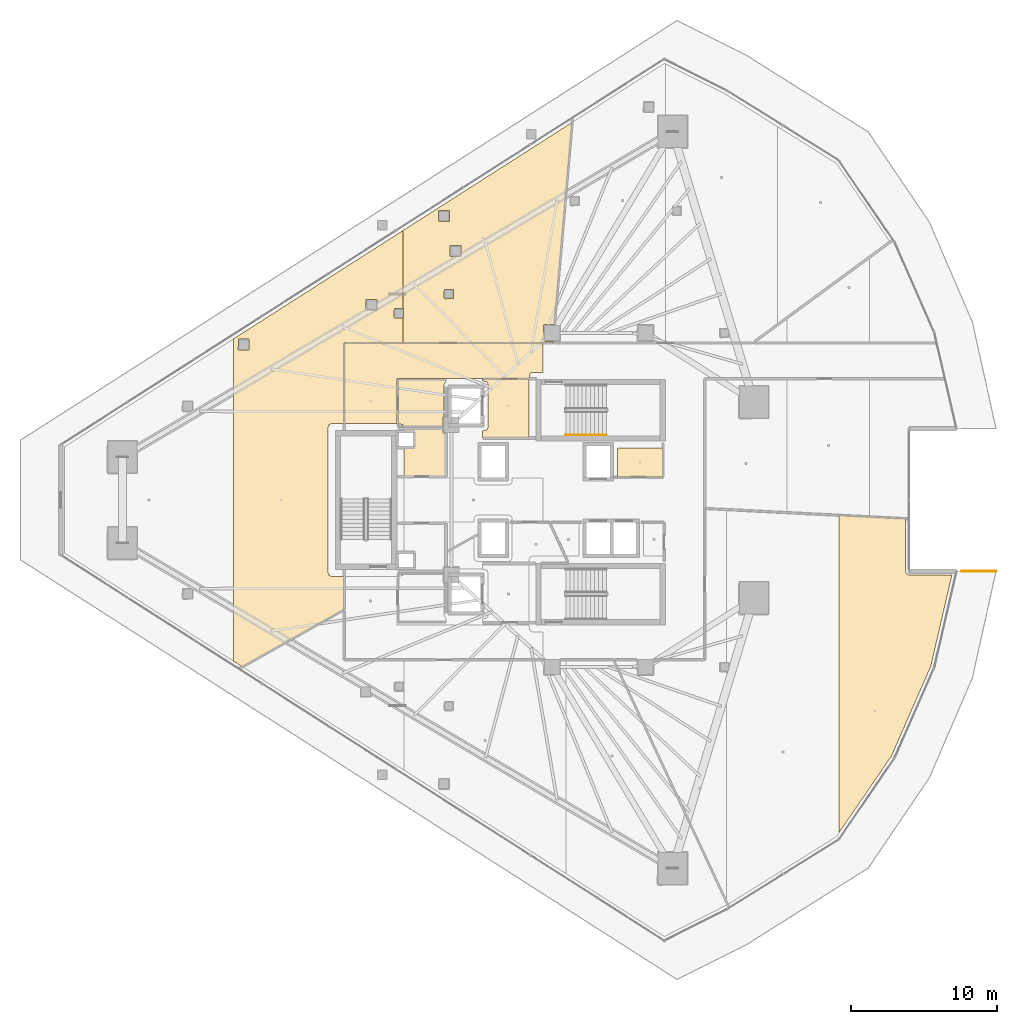
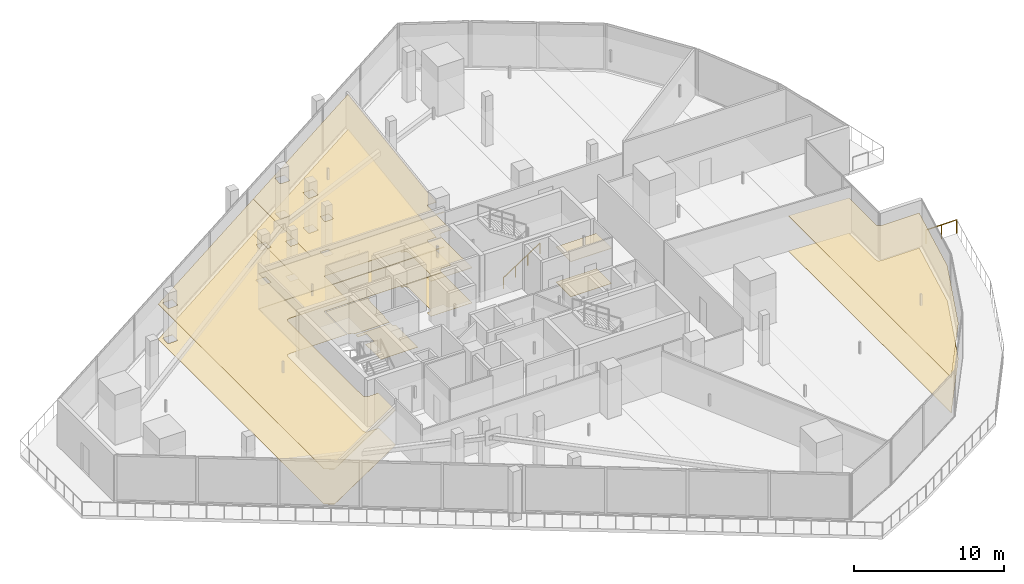
# One storey, part 38 of 40: 14 coverings, 2 railings.
"""IFC4 building model written with IfcOpenShell, lengths in metres."""

from ifc_helpers import new_model, si_unit, direction, frame, origin, origin_2d, place, context, subcontext, project, spatial, polyline, circle, outline, extrude, material, layer, layer_set, type_object, element, save


model = new_model("IFC4")

# Units and contexts
model_context = context("Model", 3, precision=1e-05, world=origin(), true_north=direction((0.0, 1.0)))
body_context = subcontext(model_context, "Body", "Model", "MODEL_VIEW")
ifc_project = project(units=[si_unit("LENGTHUNIT", "METRE"), si_unit("AREAUNIT", "SQUARE_METRE"), si_unit("VOLUMEUNIT", "CUBIC_METRE"), si_unit("PLANEANGLEUNIT", "RADIAN"), si_unit("MASSUNIT", "GRAM", prefix="KILO")], contexts=[model_context])

# Site, building, storey
site_placement = place(None, origin())
site = spatial("IfcSite", under=ifc_project, at=site_placement, CompositionType="ELEMENT")
building_placement = place(site_placement, origin())
building = spatial("IfcBuilding", under=site, at=building_placement, Name="Qorvath Tower", CompositionType="ELEMENT")
storey_placement = place(building_placement, frame((0.0, 0.0, 138.14990234375)))
storey = spatial("IfcBuildingStorey", under=building, at=storey_placement, Name="L31", CompositionType="ELEMENT", Elevation=138.14990234375)

# Coverings
ifc_material_1 = material(Name="Acoustic mineral fibre ceiling tile", Category="gypsum")
ifc_layer_1 = layer(ifc_material_1, 0.030029296875)
ifc_layer_set_1 = layer_set([ifc_layer_1], Name="COV-CEIL")
covering_type_1 = type_object("IfcCoveringType", Name="COV-CEIL", PredefinedType="CEILING", material=ifc_layer_set_1)
covering_1_placement = place(storey_placement, frame((0.0, 0.0, 2.85009765625)))
element("IfcCovering", 1, at=covering_1_placement, inside=storey, type_object=covering_type_1, Name="L31 Suspended Acoustic Ceiling 001", PredefinedType="CEILING", context=body_context, shape_type="SweptSolid", body=[
    extrude(outline(polyline([(-25.18994140625, 4.2548828125), (-25.18994140625, 8.294921875), (-28.375, 8.294921875), (-28.375, 8.159912109375), (-28.063232421875, 8.086669921875), (-27.989990234375, 7.909912109375), (-27.989990234375, 4.989990234375), (-28.063232421875, 4.813232421875), (-28.375, 4.739990234375), (-28.375, 4.2548828125), (-25.18994140625, 4.2548828125)])), origin(), (0.0, 0.0, 1.0), 0.030029296875),
])
covering_2_placement = place(storey_placement, frame((0.0, 0.0, 2.85009765625)))
element("IfcCovering", 2, at=covering_2_placement, inside=storey, type_object=covering_type_1, Name="L31 Suspended Acoustic Ceiling 003", PredefinedType="CEILING", context=body_context, shape_type="SweptSolid", body=[
    extrude(outline(polyline([(-16.0048828125, 3.56005859375), (-19.139892578125, 3.56005859375), (-19.139892578125, 1.56494140625), (-16.0048828125, 1.56494140625), (-16.0048828125, 3.56005859375)])), origin(), (0.0, 0.0, 1.0), 0.030029296875),
])
covering_3_placement = place(storey_placement, frame((0.0, 0.0, 2.85009765625)))
element("IfcCovering", 3, at=covering_3_placement, inside=storey, type_object=covering_type_1, Name="L31 Suspended Acoustic Ceiling 009", PredefinedType="CEILING", context=body_context, shape_type="SweptSolid", body=[
    extrude(outline(polyline([(-24.220458984375, 8.75), (-24.220458984375, 10.7451171875), (-37.844970703125, 10.7451171875), (-37.844970703125, 5.239990234375), (-34.2509765625, 5.239990234375), (-34.219970703125, 8.324951171875), (-25.18994140625, 8.324951171875), (-25.11669921875, 8.6767578125), (-24.93994140625, 8.75), (-24.220458984375, 8.75)])), origin(), (0.0, 0.0, 1.0), 0.030029296875),
])
covering_4_placement = place(storey_placement, frame((0.0, 0.0, 2.85009765625)))
element("IfcCovering", 4, at=covering_4_placement, inside=storey, type_object=covering_type_1, Name="L31 Suspended Acoustic Ceiling 012", PredefinedType="CEILING", context=body_context, shape_type="SweptSolid", body=[
    extrude(outline(polyline([(-45.434814453125, 11.048095703125), (-45.434814453125, -11.048095703125), (-44.83984375, -11.42822265625), (-37.863037109375, -7.506103515625), (-37.863037109375, -5.239990234375), (-38.699951171875, -5.239990234375), (-38.876708984375, -5.166748046875), (-38.949951171875, -4.989990234375), (-38.949951171875, 4.989990234375), (-38.876708984375, 5.166748046875), (-38.699951171875, 5.239990234375), (-37.863037109375, 5.239990234375), (-37.861572265625, 10.761474609375), (-33.838134765625, 10.761962890625), (-33.838134765625, 12.4736328125), (-34.379150390625, 12.45751953125), (-34.439208984375, 12.517578125), (-34.421630859375, 13.10986328125), (-33.838134765625, 13.10986328125), (-33.838134765625, 18.459716796875), (-45.434814453125, 11.048095703125)]), holes=[polyline([(-36.36572265625, 13.055908203125), (-36.34814453125, 13.748291015625), (-35.61328125, 13.748291015625), (-35.61328125, 13.013427734375), (-36.3056640625, 12.995849609375), (-36.36572265625, 13.055908203125)]), polyline([(-45.121337890625, 10.327392578125), (-45.103759765625, 11.019775390625), (-44.368896484375, 11.019775390625), (-44.368896484375, 10.284912109375), (-45.061279296875, 10.267333984375), (-45.121337890625, 10.327392578125)])]), origin(), (0.0, 0.0, 1.0), 0.030029296875),
])
covering_5_placement = place(storey_placement, frame((0.0, 0.0, 2.85009765625)))
element("IfcCovering", 5, at=covering_5_placement, inside=storey, type_object=covering_type_1, Name="L31 Suspended Acoustic Ceiling 013", PredefinedType="CEILING", context=body_context, shape_type="SweptSolid", body=[
    extrude(outline(polyline([(-33.838134765625, 18.459716796875), (-33.838134765625, 13.10986328125), (-33.786865234375, 13.10986328125), (-33.786865234375, 12.47509765625), (-33.838134765625, 12.4736328125), (-33.838134765625, 10.761962890625), (-23.5634765625, 10.762939453125), (-23.554443359375, 10.864990234375), (-24.16748046875, 10.882568359375), (-24.18505859375, 11.97509765625), (-24.125, 12.034912109375), (-23.4521484375, 12.034912109375), (-22.241455078125, 25.87158203125), (-33.838134765625, 18.459716796875)]), holes=[polyline([(-30.60986328125, 16.734619140625), (-30.59228515625, 17.427001953125), (-29.857421875, 17.427001953125), (-29.857421875, 16.692138671875), (-30.5498046875, 16.674560546875), (-30.60986328125, 16.734619140625)]), polyline([(-31.01220703125, 13.849365234375), (-30.99462890625, 14.441650390625), (-30.35986328125, 14.441650390625), (-30.35986328125, 13.806884765625), (-30.9521484375, 13.789306640625), (-31.01220703125, 13.849365234375)]), polyline([(-31.401123046875, 19.135498046875), (-31.383544921875, 19.827880859375), (-30.648681640625, 19.827880859375), (-30.648681640625, 19.093017578125), (-31.341064453125, 19.075439453125), (-31.401123046875, 19.135498046875)])]), origin(), (0.0, 0.0, 1.0), 0.030029296875),
])
covering_6_placement = place(storey_placement, frame((0.0, 0.0, 2.85009765625)))
element("IfcCovering", 6, at=covering_6_placement, inside=storey, type_object=covering_type_1, Name="L31 Suspended Acoustic Ceiling 020", PredefinedType="CEILING", context=body_context, shape_type="SweptSolid", body=[
    extrude(outline(polyline([(-3.92626953125, -1.05322265625), (-3.92626953125, -22.78125), (-0.35205078125, -17.551025390625), (2.3486328125, -11.395751953125), (3.796875, -5.13671875), (0.86328125, -5.13671875), (0.665283203125, -5.0419921875), (0.6083984375, -4.881591796875), (0.6083984375, -1.2841796875), (-3.92626953125, -1.05322265625)])), origin(), (0.0, 0.0, 1.0), 0.030029296875),
])
ifc_material_2 = material(Name="Low-VOC modular carpet tile", Category="textile")
ifc_layer_2 = layer(ifc_material_2, 0.014892578125)
ifc_layer_set_2 = layer_set([ifc_layer_2], Name="COV-FLOOR-CPT")
covering_type_2 = type_object("IfcCoveringType", Name="COV-FLOOR-CPT", PredefinedType="FLOORING", material=ifc_layer_set_2)
covering_7_placement = place(storey_placement, origin())
element("IfcCovering", 7, at=covering_7_placement, inside=storey, type_object=covering_type_2, Name="L31 Floor Finish 003", PredefinedType="FLOORING", context=body_context, shape_type="SweptSolid", body=[
    extrude(outline(polyline([(-16.0048828125, 3.56005859375), (-19.139892578125, 3.56005859375), (-19.139892578125, 1.56494140625), (-16.0048828125, 1.56494140625), (-16.0048828125, 3.56005859375)])), origin(), (0.0, 0.0, 1.0), 0.01513671875),
])
covering_8_placement = place(storey_placement, origin())
element("IfcCovering", 8, at=covering_8_placement, inside=storey, type_object=covering_type_2, Name="L31 Floor Finish 005", PredefinedType="FLOORING", context=body_context, shape_type="SweptSolid", body=[
    extrude(outline(polyline([(-31.0849609375, 4.89501953125), (-33.760009765625, 4.89501953125), (-33.760009765625, 4.633056640625), (-33.08837890625, 4.631591796875), (-33.0869140625, 3.64208984375), (-33.760009765625, 3.636962890625), (-33.760009765625, 1.60498046875), (-30.885009765625, 1.60498046875), (-30.885009765625, 4.56494140625), (-31.02490234375, 4.56494140625), (-31.0849609375, 4.625), (-31.0849609375, 4.89501953125)])), origin(), (0.0, 0.0, 1.0), 0.01513671875),
])
covering_9_placement = place(storey_placement, origin())
element("IfcCovering", 9, at=covering_9_placement, inside=storey, type_object=covering_type_2, Name="L31 Floor Finish 012", PredefinedType="FLOORING", context=body_context, shape_type="SweptSolid", body=[
    extrude(outline(polyline([(-45.434814453125, 11.048095703125), (-45.434814453125, -11.048095703125), (-44.83984375, -11.42822265625), (-37.863037109375, -7.506103515625), (-37.863037109375, -5.239990234375), (-38.699951171875, -5.239990234375), (-38.876708984375, -5.166748046875), (-38.949951171875, -4.989990234375), (-38.949951171875, 4.989990234375), (-38.876708984375, 5.166748046875), (-38.699951171875, 5.239990234375), (-37.863037109375, 5.239990234375), (-37.861572265625, 10.761474609375), (-33.838134765625, 10.761962890625), (-33.838134765625, 12.4736328125), (-34.379150390625, 12.45751953125), (-34.439208984375, 12.517578125), (-34.421630859375, 13.10986328125), (-33.838134765625, 13.10986328125), (-33.838134765625, 18.459716796875), (-45.434814453125, 11.048095703125)]), holes=[polyline([(-36.36572265625, 13.055908203125), (-36.34814453125, 13.748291015625), (-35.61328125, 13.748291015625), (-35.61328125, 13.013427734375), (-36.3056640625, 12.995849609375), (-36.36572265625, 13.055908203125)]), polyline([(-45.121337890625, 10.327392578125), (-45.103759765625, 11.019775390625), (-44.368896484375, 11.019775390625), (-44.368896484375, 10.284912109375), (-45.061279296875, 10.267333984375), (-45.121337890625, 10.327392578125)])]), origin(), (0.0, 0.0, 1.0), 0.01513671875),
])
covering_10_placement = place(storey_placement, origin())
element("IfcCovering", 10, at=covering_10_placement, inside=storey, type_object=covering_type_2, Name="L31 Floor Finish 013", PredefinedType="FLOORING", context=body_context, shape_type="SweptSolid", body=[
    extrude(outline(polyline([(-33.838134765625, 18.459716796875), (-33.838134765625, 13.10986328125), (-33.786865234375, 13.10986328125), (-33.786865234375, 12.47509765625), (-33.838134765625, 12.4736328125), (-33.838134765625, 10.761962890625), (-23.5634765625, 10.762939453125), (-23.554443359375, 10.864990234375), (-24.16748046875, 10.882568359375), (-24.18505859375, 11.97509765625), (-24.125, 12.034912109375), (-23.4521484375, 12.034912109375), (-22.241455078125, 25.87158203125), (-33.838134765625, 18.459716796875)]), holes=[polyline([(-30.60986328125, 16.734619140625), (-30.59228515625, 17.427001953125), (-29.857421875, 17.427001953125), (-29.857421875, 16.692138671875), (-30.5498046875, 16.674560546875), (-30.60986328125, 16.734619140625)]), polyline([(-31.01220703125, 13.849365234375), (-30.99462890625, 14.441650390625), (-30.35986328125, 14.441650390625), (-30.35986328125, 13.806884765625), (-30.9521484375, 13.789306640625), (-31.01220703125, 13.849365234375)]), polyline([(-31.401123046875, 19.135498046875), (-31.383544921875, 19.827880859375), (-30.648681640625, 19.827880859375), (-30.648681640625, 19.093017578125), (-31.341064453125, 19.075439453125), (-31.401123046875, 19.135498046875)])]), origin(), (0.0, 0.0, 1.0), 0.01513671875),
])
covering_11_placement = place(storey_placement, origin())
element("IfcCovering", 11, at=covering_11_placement, inside=storey, type_object=covering_type_2, Name="L31 Floor Finish 020", PredefinedType="FLOORING", context=body_context, shape_type="SweptSolid", body=[
    extrude(outline(polyline([(-3.92626953125, -1.05322265625), (-3.92626953125, -22.78125), (-0.35205078125, -17.551025390625), (2.3486328125, -11.395751953125), (3.796875, -5.13671875), (0.86328125, -5.13671875), (0.665283203125, -5.0419921875), (0.6083984375, -4.881591796875), (0.6083984375, -1.2841796875), (-3.92626953125, -1.05322265625)])), origin(), (0.0, 0.0, 1.0), 0.01513671875),
])
ifc_material_3 = material(Name="Polished epoxy terrazzo flooring", Category="concrete")
ifc_layer_3 = layer(ifc_material_3, 0.02001953125)
ifc_layer_set_3 = layer_set([ifc_layer_3], Name="COV-FLOOR-TRZ")
covering_type_3 = type_object("IfcCoveringType", Name="COV-FLOOR-TRZ", PredefinedType="FLOORING", material=ifc_layer_set_3)
covering_12_placement = place(storey_placement, origin())
element("IfcCovering", 12, at=covering_12_placement, inside=storey, type_object=covering_type_3, Name="L31 Floor Finish 001", PredefinedType="FLOORING", context=body_context, shape_type="SweptSolid", body=[
    extrude(outline(polyline([(-25.18994140625, 4.2548828125), (-25.18994140625, 8.294921875), (-28.375, 8.294921875), (-28.375, 8.159912109375), (-28.063232421875, 8.086669921875), (-27.989990234375, 7.909912109375), (-27.989990234375, 4.989990234375), (-28.063232421875, 4.813232421875), (-28.375, 4.739990234375), (-28.375, 4.2548828125), (-25.18994140625, 4.2548828125)])), origin(), (0.0, 0.0, 1.0), 0.01513671875),
])
covering_13_placement = place(storey_placement, origin())
element("IfcCovering", 13, at=covering_13_placement, inside=storey, type_object=covering_type_3, Name="L31 Floor Finish 004", PredefinedType="FLOORING", context=body_context, shape_type="SweptSolid", body=[
    extrude(outline(polyline([(-31.010009765625, 7.909912109375), (-30.885009765625, 8.108154296875), (-30.885009765625, 8.2451171875), (-34.175048828125, 8.2451171875), (-34.175048828125, 5.239990234375), (-33.833251953125, 5.166748046875), (-33.786865234375, 5.054931640625), (-31.0849609375, 5.054931640625), (-31.0849609375, 5.675048828125), (-31.02490234375, 5.735107421875), (-31.010009765625, 7.909912109375)])), origin(), (0.0, 0.0, 1.0), 0.01513671875),
])
covering_14_placement = place(storey_placement, origin())
element("IfcCovering", 14, at=covering_14_placement, inside=storey, type_object=covering_type_3, Name="L31 Floor Finish 009", PredefinedType="FLOORING", context=body_context, shape_type="SweptSolid", body=[
    extrude(outline(polyline([(-24.220458984375, 8.75), (-24.220458984375, 10.7451171875), (-37.844970703125, 10.7451171875), (-37.844970703125, 5.239990234375), (-34.2509765625, 5.239990234375), (-34.219970703125, 8.324951171875), (-25.18994140625, 8.324951171875), (-25.11669921875, 8.6767578125), (-24.93994140625, 8.75), (-24.220458984375, 8.75)])), origin(), (0.0, 0.0, 1.0), 0.01513671875),
])

# Railings
ifc_material_4 = material(Name="Laminated safety glass and stainless steel AISI 316", Category="steel")
railing_type_1 = type_object("IfcRailingType", Name="RL-EXT-GRD", PredefinedType="GUARDRAIL", material=ifc_material_4)
railing_1_placement = place(storey_placement, frame((4.46728515625, -4.881591796875, 0.0)))
element("IfcRailing", 15, at=railing_1_placement, inside=storey, type_object=railing_type_1, Name="Loggia Perimeter Guardrail L31-1.2", PredefinedType="GUARDRAIL", context=body_context, shape_type="SweptSolid", body=[
    extrude(circle(Radius=0.02392578125, at=origin_2d()), frame((0.0, 0.0, 1.09619140625), z_axis=(1.0, 0.0, 0.0), x_axis=(0.0, 1.0, 0.0)), (0.0, 0.0, 1.0), 2.36669921875),
    extrude(circle(Radius=0.02099609375, at=origin_2d()), origin(), (0.0, 0.0, 1.0), 1.072021484375),
    extrude(circle(Radius=0.02099609375, at=origin_2d()), frame((1.183349609375, 0.0, 0.0)), (0.0, 0.0, 1.0), 1.072021484375),
    extrude(circle(Radius=0.02099609375, at=origin_2d()), frame((2.36669921875, 0.0, 0.0)), (0.0, 0.0, 1.0), 1.072021484375),
])
ifc_material_5 = material(Name="Brushed stainless steel AISI 304", Category="steel")
railing_type_2 = type_object("IfcRailingType", Name="RL-STR-HND", PredefinedType="HANDRAIL", material=ifc_material_5)
railing_2_placement = place(storey_placement, frame((-22.669921875, 4.449951171875, 0.18408203125)))
element("IfcRailing", 16, at=railing_2_placement, inside=storey, type_object=railing_type_2, Name="L31 TS1 stair handrail 1", PredefinedType="HANDRAIL", context=body_context, shape_type="SweptSolid", body=[
    extrude(circle(Radius=0.02392578125, at=origin_2d()), frame((0.0, 0.0, 0.8759765625), z_axis=(0.835542071712, 0.0, 0.549426470421), x_axis=(0.0, 1.0, 0.0)), (0.0, 0.0, 1.0), 3.350830078125),
    extrude(circle(Radius=0.02099609375, at=origin_2d()), origin(), (0.0, 0.0, 1.0), 0.851806640625),
    extrude(circle(Radius=0.02099609375, at=origin_2d()), frame((0.933349609375, 0.0, 0.61376953125)), (0.0, 0.0, 1.0), 0.851806640625),
    extrude(circle(Radius=0.02099609375, at=origin_2d()), frame((1.866455078125, 0.0, 1.227294921875)), (0.0, 0.0, 1.0), 0.851806640625),
    extrude(circle(Radius=0.02099609375, at=origin_2d()), frame((2.7998046875, 0.0, 1.841064453125)), (0.0, 0.0, 1.0), 0.851806640625),
])

save(model, "model.ifc")
